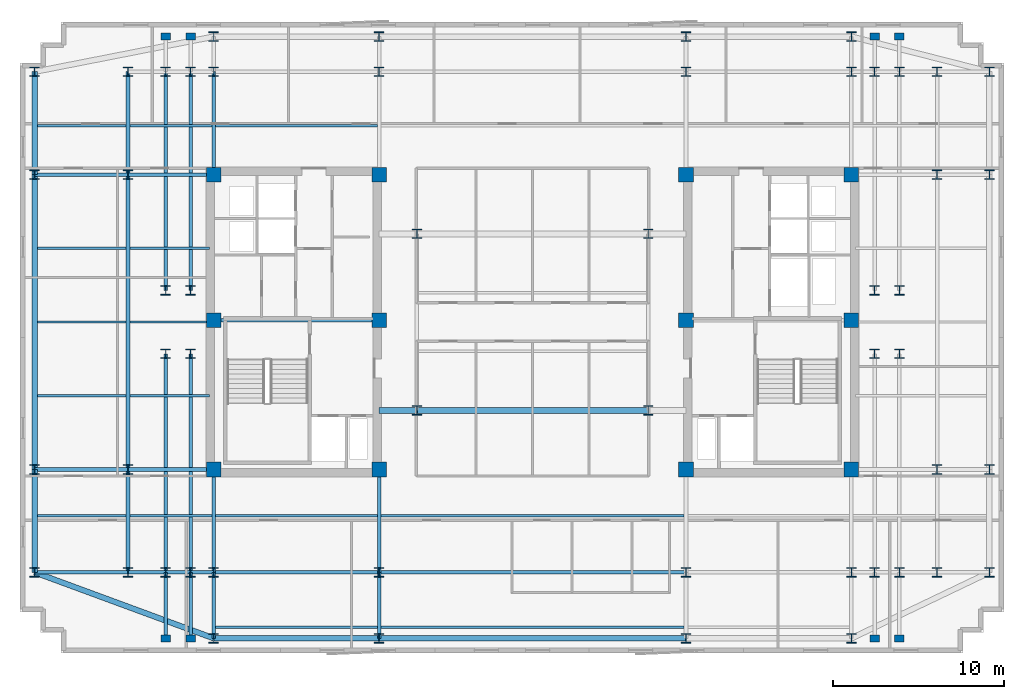
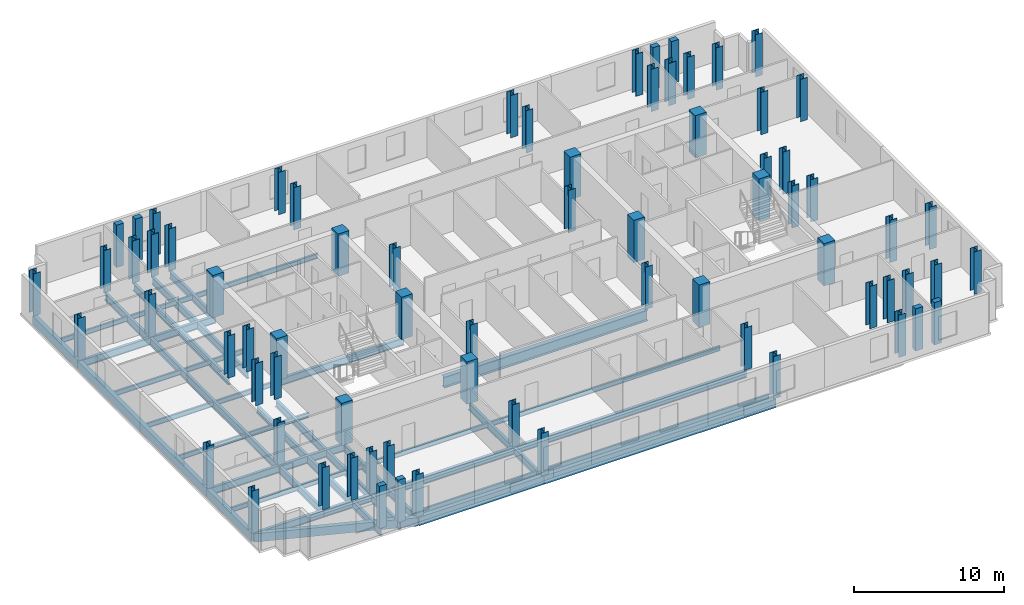
# One storey, part 1 of 9: 72 columns, 46 beams.
"""IFC4 building model written with IfcOpenShell, lengths in metres."""

from ifc_helpers import new_model, si_unit, direction, frame, origin, origin_2d, place, context, subcontext, project, spatial, rectangle, i_section, extrude, material, material_profile, profile_set, type_object, element, save


model = new_model("IFC4")

# Units and contexts
model_context = context("Model", 3, precision=1e-05, world=origin(), true_north=direction((0.0, 1.0)))
body_context = subcontext(model_context, "Body", "Model", "MODEL_VIEW")
ifc_project = project(units=[si_unit("LENGTHUNIT", "METRE"), si_unit("AREAUNIT", "SQUARE_METRE"), si_unit("VOLUMEUNIT", "CUBIC_METRE"), si_unit("PLANEANGLEUNIT", "RADIAN"), si_unit("MASSUNIT", "GRAM", prefix="KILO")], contexts=[model_context])

# Site, building, storey
site_placement = place(None, origin())
site = spatial("IfcSite", under=ifc_project, at=site_placement, CompositionType="ELEMENT")
building_placement = place(site_placement, origin())
building = spatial("IfcBuilding", under=site, at=building_placement, Name="Velakula Bourse", CompositionType="ELEMENT")
storey_placement = place(building_placement, frame((0.0, 0.0, 236.10009765625)))
storey = spatial("IfcBuildingStorey", under=building, at=storey_placement, Name="L64", CompositionType="ELEMENT", Elevation=236.10009765625)

# Columns
ifc_material_1 = material(Name="Concrete M50 (fck 50 MPa)", Category="concrete")
ifc_material_profile_1 = material_profile(ifc_material_1, rectangle(XDim=0.85009765625, YDim=0.85009765625, at=origin_2d()), Name="Concrete M50 (fck 50 MPa)")
ifc_profile_set_1 = profile_set([ifc_material_profile_1], Name="Concrete M50 (fck 50 MPa)")
column_type_1 = type_object("IfcColumnType", Name="COL-RC-850", PredefinedType="COLUMN", material=ifc_profile_set_1)
for number, where, z_axis, x_axis, name in (
    (1, (-8.949951171875, -8.60009765625, 0.0), (0.0, 0.0, 1.0), (1.0, 0.0, 0.0), "L64 Core Boundary Column 01"),
    (2, (-8.949951171875, 0.10009765625, 0.0), (0.0, 0.0, 1.0), (1.0, 0.0, 0.0), "L64 Core Boundary Column 02"),
    (3, (-8.949951171875, 8.60009765625, 0.0), (0.0, 0.0, 1.0), (1.0, 0.0, 0.0), "L64 Core Boundary Column 03"),
    (4, (-18.60009765625, -8.60009765625, 0.0), (0.0, 0.0, 1.0), (1.0, 0.0, 0.0), "L64 Core Boundary Column 04"),
    (5, (-18.60009765625, 0.10009765625, 0.0), (0.0, 0.0, 1.0), (1.0, 0.0, 0.0), "L64 Core Boundary Column 05"),
    (6, (-18.60009765625, 8.60009765625, 0.0), (0.0, 0.0, 1.0), (1.0, 0.0, 0.0), "L64 Core Boundary Column 06"),
    (7, (8.949951171875, -8.60009765625, 0.0), (0.0, 0.0, 1.0), (1.0, 0.0, 0.0), "L64 Core Boundary Column 07"),
    (8, (8.949951171875, 0.10009765625, 0.0), (0.0, 0.0, 1.0), (1.0, 0.0, 0.0), "L64 Core Boundary Column 08"),
    (9, (8.949951171875, 8.60009765625, 0.0), (0.0, 0.0, 1.0), (1.0, 0.0, 0.0), "L64 Core Boundary Column 09"),
    (10, (18.60009765625, -8.60009765625, 0.0), (0.0, 0.0, 1.0), (1.0, 0.0, 0.0), "L64 Core Boundary Column 10"),
    (11, (18.60009765625, 0.10009765625, 0.0), (0.0, 0.0, 1.0), (1.0, 0.0, 0.0), "L64 Core Boundary Column 11"),
    (12, (18.60009765625, 8.60009765625, 0.0), (0.0, 0.0, 1.0), (1.0, 0.0, 0.0), "L64 Core Boundary Column 12"),
):
    element("IfcColumn", number, at=place(storey_placement, frame(where, z_axis=z_axis, x_axis=x_axis)), inside=storey, type_object=column_type_1, Name=name, PredefinedType="COLUMN", context=body_context, shape_type="SweptSolid", body=[
        extrude(rectangle(XDim=0.85009765625, YDim=0.85009765625, at=origin_2d()), origin(), (0.0, 0.0, 1.0), 3.449951171875),
    ])
ifc_material_2 = material(Name="Steel IS 2062 Grade 350 (E350)", Category="steel")
ifc_material_profile_2 = material_profile(ifc_material_2, i_section(OverallWidth=0.550048828125, OverallDepth=0.550048828125, WebThickness=0.02392578125, FlangeThickness=0.035888671875, at=origin_2d()), Name="Steel IS 2062 Grade 350 (E350)")
ifc_profile_set_2 = profile_set([ifc_material_profile_2], Name="Steel IS 2062 Grade 350 (E350)")
column_type_2 = type_object("IfcColumnType", Name="COL-STL-550", PredefinedType="COLUMN", material=ifc_profile_set_2)
for number, where, z_axis, x_axis, name in (
    (13, (-6.75, -5.14990234375, 0.0), (0.0, 0.0, 1.0), (1.0, 0.0, 0.0), "L64 Central Spine Column 01"),
    (14, (-6.75, 5.14990234375, 0.0), (0.0, 0.0, 1.0), (1.0, 0.0, 0.0), "L64 Central Spine Column 02"),
    (15, (6.75, -5.14990234375, 0.0), (0.0, 0.0, 1.0), (1.0, 0.0, 0.0), "L64 Central Spine Column 03"),
    (16, (6.75, 5.14990234375, 0.0), (0.0, 0.0, 1.0), (1.0, 0.0, 0.0), "L64 Central Spine Column 04"),
    (17, (-21.39990234375, -14.60009765625, 0.0), (0.0, 0.0, 1.0), (1.0, 0.0, 0.0), "L64 Tower Fulcrum Column 01"),
    (18, (-21.39990234375, 14.60009765625, 0.0), (0.0, 0.0, 1.0), (1.0, 0.0, 0.0), "L64 Tower Fulcrum Column 02"),
    (19, (-19.949951171875, -14.60009765625, 0.0), (0.0, 0.0, 1.0), (1.0, 0.0, 0.0), "L64 Tower Fulcrum Column 03"),
    (20, (-19.949951171875, 14.60009765625, 0.0), (0.0, 0.0, 1.0), (1.0, 0.0, 0.0), "L64 Tower Fulcrum Column 04"),
    (21, (-18.60009765625, -14.60009765625, 0.0), (0.0, 0.0, 1.0), (1.0, 0.0, 0.0), "L64 Tower Fulcrum Column 05"),
    (22, (-18.60009765625, 14.60009765625, 0.0), (0.0, 0.0, 1.0), (1.0, 0.0, 0.0), "L64 Tower Fulcrum Column 06"),
    (23, (-8.949951171875, -14.60009765625, 0.0), (0.0, 0.0, 1.0), (1.0, 0.0, 0.0), "L64 Tower Fulcrum Column 07"),
    (24, (-8.949951171875, 14.60009765625, 0.0), (0.0, 0.0, 1.0), (1.0, 0.0, 0.0), "L64 Tower Fulcrum Column 08"),
    (25, (8.949951171875, -14.60009765625, 0.0), (0.0, 0.0, 1.0), (1.0, 0.0, 0.0), "L64 Tower Fulcrum Column 09"),
    (26, (8.949951171875, 14.60009765625, 0.0), (0.0, 0.0, 1.0), (1.0, 0.0, 0.0), "L64 Tower Fulcrum Column 10"),
    (27, (18.60009765625, -14.60009765625, 0.0), (0.0, 0.0, 1.0), (1.0, 0.0, 0.0), "L64 Tower Fulcrum Column 11"),
    (28, (18.60009765625, 14.60009765625, 0.0), (0.0, 0.0, 1.0), (1.0, 0.0, 0.0), "L64 Tower Fulcrum Column 12"),
    (29, (19.949951171875, -14.60009765625, 0.0), (0.0, 0.0, 1.0), (1.0, 0.0, 0.0), "L64 Tower Fulcrum Column 13"),
    (30, (19.949951171875, 14.60009765625, 0.0), (0.0, 0.0, 1.0), (1.0, 0.0, 0.0), "L64 Tower Fulcrum Column 14"),
    (31, (21.39990234375, -14.60009765625, 0.0), (0.0, 0.0, 1.0), (1.0, 0.0, 0.0), "L64 Tower Fulcrum Column 15"),
    (32, (21.39990234375, 14.60009765625, 0.0), (0.0, 0.0, 1.0), (1.0, 0.0, 0.0), "L64 Tower Fulcrum Column 16"),
    (33, (-21.39990234375, -1.85009765625, 0.0), (0.0, 0.0, 1.0), (1.0, 0.0, 0.0), "L64 Tower Fulcrum Column 17"),
    (34, (-21.39990234375, 1.85009765625, 0.0), (0.0, 0.0, 1.0), (1.0, 0.0, 0.0), "L64 Tower Fulcrum Column 18"),
    (35, (-19.949951171875, -1.85009765625, 0.0), (0.0, 0.0, 1.0), (1.0, 0.0, 0.0), "L64 Tower Fulcrum Column 19"),
    (36, (-19.949951171875, 1.85009765625, 0.0), (0.0, 0.0, 1.0), (1.0, 0.0, 0.0), "L64 Tower Fulcrum Column 20"),
    (37, (19.949951171875, -1.85009765625, 0.0), (0.0, 0.0, 1.0), (1.0, 0.0, 0.0), "L64 Tower Fulcrum Column 21"),
    (38, (19.949951171875, 1.85009765625, 0.0), (0.0, 0.0, 1.0), (1.0, 0.0, 0.0), "L64 Tower Fulcrum Column 22"),
    (39, (21.39990234375, -1.85009765625, 0.0), (0.0, 0.0, 1.0), (1.0, 0.0, 0.0), "L64 Tower Fulcrum Column 23"),
    (40, (21.39990234375, 1.85009765625, 0.0), (0.0, 0.0, 1.0), (1.0, 0.0, 0.0), "L64 Tower Fulcrum Column 24"),
    (41, (-23.60009765625, -14.60009765625, 0.0), (0.0, 0.0, 1.0), (1.0, 0.0, 0.0), "L64 Mid-Wing Plumb Column 01"),
    (42, (-23.60009765625, -8.60009765625, 0.0), (0.0, 0.0, 1.0), (1.0, 0.0, 0.0), "L64 Mid-Wing Plumb Column 02"),
    (43, (-23.60009765625, 8.60009765625, 0.0), (0.0, 0.0, 1.0), (1.0, 0.0, 0.0), "L64 Mid-Wing Plumb Column 03"),
    (44, (-23.60009765625, 14.60009765625, 0.0), (0.0, 0.0, 1.0), (1.0, 0.0, 0.0), "L64 Mid-Wing Plumb Column 04"),
    (45, (23.60009765625, -14.60009765625, 0.0), (0.0, 0.0, 1.0), (1.0, 0.0, 0.0), "L64 Mid-Wing Plumb Column 05"),
    (46, (23.60009765625, -8.60009765625, 0.0), (0.0, 0.0, 1.0), (1.0, 0.0, 0.0), "L64 Mid-Wing Plumb Column 06"),
    (47, (23.60009765625, 8.60009765625, 0.0), (0.0, 0.0, 1.0), (1.0, 0.0, 0.0), "L64 Mid-Wing Plumb Column 07"),
    (48, (23.60009765625, 14.60009765625, 0.0), (0.0, 0.0, 1.0), (1.0, 0.0, 0.0), "L64 Mid-Wing Plumb Column 08"),
    (49, (-18.60009765625, -18.449951171875, 0.0), (0.0, 0.0, 1.0), (1.0, 0.0, 0.0), "L64 Block B5 Perimeter Column S1"),
    (50, (-8.949951171875, -18.449951171875, 0.0), (0.0, 0.0, 1.0), (1.0, 0.0, 0.0), "L64 Block B5 Perimeter Column S2"),
    (51, (8.949951171875, -18.449951171875, 0.0), (0.0, 0.0, 1.0), (1.0, 0.0, 0.0), "L64 Block B5 Perimeter Column S3"),
    (52, (18.60009765625, -18.449951171875, 0.0), (0.0, 0.0, 1.0), (1.0, 0.0, 0.0), "L64 Block B5 Perimeter Column S4"),
    (53, (-18.60009765625, 16.64990234375, 0.0), (0.0, 0.0, 1.0), (1.0, 0.0, 0.0), "L64 Block B5 Perimeter Column N1"),
    (54, (-8.949951171875, 16.64990234375, 0.0), (0.0, 0.0, 1.0), (1.0, 0.0, 0.0), "L64 Block B5 Perimeter Column N2"),
    (55, (8.949951171875, 16.64990234375, 0.0), (0.0, 0.0, 1.0), (1.0, 0.0, 0.0), "L64 Block B5 Perimeter Column N3"),
    (56, (18.60009765625, 16.64990234375, 0.0), (0.0, 0.0, 1.0), (1.0, 0.0, 0.0), "L64 Block B5 Perimeter Column N4"),
    (57, (-29.050048828125, -14.60009765625, 0.0), (0.0, 0.0, 1.0), (1.0, 0.0, 0.0), "L64 Block B5 Perimeter Column W1"),
    (58, (-29.050048828125, -8.60009765625, 0.0), (0.0, 0.0, 1.0), (1.0, 0.0, 0.0), "L64 Block B5 Perimeter Column W2"),
    (59, (-29.050048828125, 8.60009765625, 0.0), (0.0, 0.0, 1.0), (1.0, 0.0, 0.0), "L64 Block B5 Perimeter Column W3"),
    (60, (-29.050048828125, 14.60009765625, 0.0), (0.0, 0.0, 1.0), (1.0, 0.0, 0.0), "L64 Block B5 Perimeter Column W4"),
    (61, (26.64990234375, -14.60009765625, 0.0), (0.0, 0.0, 1.0), (1.0, 0.0, 0.0), "L64 Block B5 Perimeter Column E1"),
    (62, (26.64990234375, -8.60009765625, 0.0), (0.0, 0.0, 1.0), (1.0, 0.0, 0.0), "L64 Block B5 Perimeter Column E2"),
    (63, (26.64990234375, 8.60009765625, 0.0), (0.0, 0.0, 1.0), (1.0, 0.0, 0.0), "L64 Block B5 Perimeter Column E3"),
    (64, (26.64990234375, 14.60009765625, 0.0), (0.0, 0.0, 1.0), (1.0, 0.0, 0.0), "L64 Block B5 Perimeter Column E4"),
):
    element("IfcColumn", number, at=place(storey_placement, frame(where, z_axis=z_axis, x_axis=x_axis)), inside=storey, type_object=column_type_2, Name=name, PredefinedType="COLUMN", context=body_context, shape_type="SweptSolid", body=[
        extrude(i_section(OverallWidth=0.550048828125, OverallDepth=0.550048828125, WebThickness=0.02392578125, FlangeThickness=0.035888671875, at=origin_2d()), origin(), (0.0, 0.0, 1.0), 3.449951171875),
    ])
ifc_material_3 = material(Name="Precast concrete M45 (fck 45 MPa)", Category="concrete")
ifc_material_profile_3 = material_profile(ifc_material_3, rectangle(XDim=0.550048828125, YDim=0.39990234375, at=origin_2d()), Name="Precast concrete M45 (fck 45 MPa)")
ifc_profile_set_3 = profile_set([ifc_material_profile_3], Name="Precast concrete M45 (fck 45 MPa)")
column_type_3 = type_object("IfcColumnType", Name="PIL-BRICK-550", PredefinedType="PILASTER", material=ifc_profile_set_3)
for number, where, z_axis, x_axis, name in (
    (65, (-21.39990234375, -18.449951171875, 0.0), (0.0, 0.0, 1.0), (1.0, 0.0, 0.0), "L64 Brick Pier Pilaster 01"),
    (66, (-19.949951171875, -18.449951171875, 0.0), (0.0, 0.0, 1.0), (1.0, 0.0, 0.0), "L64 Brick Pier Pilaster 02"),
    (67, (19.949951171875, -18.449951171875, 0.0), (0.0, 0.0, 1.0), (1.0, 0.0, 0.0), "L64 Brick Pier Pilaster 03"),
    (68, (21.39990234375, -18.449951171875, 0.0), (0.0, 0.0, 1.0), (1.0, 0.0, 0.0), "L64 Brick Pier Pilaster 04"),
    (69, (-21.39990234375, 16.64990234375, 0.0), (0.0, 0.0, 1.0), (1.0, 0.0, 0.0), "L64 Brick Pier Pilaster 05"),
    (70, (-19.949951171875, 16.64990234375, 0.0), (0.0, 0.0, 1.0), (1.0, 0.0, 0.0), "L64 Brick Pier Pilaster 06"),
    (71, (19.949951171875, 16.64990234375, 0.0), (0.0, 0.0, 1.0), (1.0, 0.0, 0.0), "L64 Brick Pier Pilaster 07"),
    (72, (21.39990234375, 16.64990234375, 0.0), (0.0, 0.0, 1.0), (1.0, 0.0, 0.0), "L64 Brick Pier Pilaster 08"),
):
    element("IfcColumn", number, at=place(storey_placement, frame(where, z_axis=z_axis, x_axis=x_axis)), inside=storey, type_object=column_type_3, Name=name, PredefinedType="PILASTER", context=body_context, shape_type="SweptSolid", body=[
        extrude(rectangle(XDim=0.550048828125, YDim=0.39990234375, at=origin_2d()), origin(), (0.0, 0.0, 1.0), 3.449951171875),
    ])

# Beams
ifc_material_profile_4 = material_profile(ifc_material_2, i_section(OverallWidth=0.2099609375, OverallDepth=0.60009765625, WebThickness=0.011962890625, FlangeThickness=0.020751953125, at=origin_2d()), Name="Steel IS 2062 Grade 350 (E350)")
ifc_profile_set_4 = profile_set([ifc_material_profile_4], Name="Steel IS 2062 Grade 350 (E350)")
beam_type_1 = type_object("IfcBeamType", Name="BM-GRD-600L", PredefinedType="BEAM", material=ifc_profile_set_4)
beam_1_placement = place(storey_placement, frame((-18.60009765625, 0.10009765625, -0.47998046875), z_axis=(1.0, 0.0, 0.0), x_axis=(0.0, 1.0, 0.0)))
element("IfcBeam", 73, at=beam_1_placement, inside=storey, type_object=beam_type_1, Name="L64 Primary Backbone Girder CRW-M", PredefinedType="BEAM", context=body_context, shape_type="SweptSolid", body=[
    extrude(i_section(OverallWidth=0.2099609375, OverallDepth=0.60009765625, WebThickness=0.011962890625, FlangeThickness=0.020751953125, at=origin_2d()), origin(), (0.0, 0.0, 1.0), 9.650146484375),
])
for number, where, z_axis, x_axis, name in (
    (74, (-18.60009765625, -14.60009765625, -0.47998046875), (0.0, 1.0, 0.0), (-1.0, 0.0, 0.0), "L64 Fulcrum Grid Girder FLC-WS"),
    (75, (-18.60009765625, 8.60009765625, -0.47998046875), (0.0, 1.0, 0.0), (-1.0, 0.0, 0.0), "L64 Fulcrum Grid Girder FLC-WN"),
    (76, (-8.949951171875, -14.60009765625, -0.47998046875), (0.0, 1.0, 0.0), (-1.0, 0.0, 0.0), "L64 Fulcrum Grid Girder FLC-WCS"),
):
    element("IfcBeam", number, at=place(storey_placement, frame(where, z_axis=z_axis, x_axis=x_axis)), inside=storey, type_object=beam_type_1, Name=name, PredefinedType="BEAM", context=body_context, shape_type="SweptSolid", body=[
        extrude(i_section(OverallWidth=0.2099609375, OverallDepth=0.60009765625, WebThickness=0.011962890625, FlangeThickness=0.020751953125, at=origin_2d()), origin(), (0.0, 0.0, 1.0), 6.0),
    ])
beam_2_placement = place(storey_placement, frame((-18.60009765625, -14.60009765625, -0.47998046875), z_axis=(1.0, 0.0, 0.0), x_axis=(0.0, 1.0, 0.0)))
element("IfcBeam", 77, at=beam_2_placement, inside=storey, type_object=beam_type_1, Name="L64 Fulcrum Grid Girder FLC-S1", PredefinedType="BEAM", context=body_context, shape_type="SweptSolid", body=[
    extrude(i_section(OverallWidth=0.2099609375, OverallDepth=0.60009765625, WebThickness=0.011962890625, FlangeThickness=0.020751953125, at=origin_2d()), origin(), (0.0, 0.0, 1.0), 9.650146484375),
])
beam_3_placement = place(storey_placement, frame((-8.949951171875, -14.60009765625, -0.47998046875), z_axis=(1.0, 0.0, 0.0), x_axis=(0.0, 1.0, 0.0)))
element("IfcBeam", 78, at=beam_3_placement, inside=storey, type_object=beam_type_1, Name="L64 Fulcrum Grid Girder FLC-S2", PredefinedType="BEAM", context=body_context, shape_type="SweptSolid", body=[
    extrude(i_section(OverallWidth=0.2099609375, OverallDepth=0.60009765625, WebThickness=0.011962890625, FlangeThickness=0.020751953125, at=origin_2d()), origin(), (0.0, 0.0, 1.0), 17.89990234375),
])
for number, where, z_axis, x_axis, name in (
    (79, (-21.39990234375, -14.60009765625, -0.47998046875), (0.0, 1.0, 0.0), (-1.0, 0.0, 0.0), "L64 Fulcrum Grid Girder FLC-PSW1"),
    (80, (-21.39990234375, 1.85009765625, -0.47998046875), (0.0, 1.0, 0.0), (-1.0, 0.0, 0.0), "L64 Fulcrum Grid Girder FLC-PNW1"),
    (81, (-19.949951171875, -14.60009765625, -0.47998046875), (0.0, 1.0, 0.0), (-1.0, 0.0, 0.0), "L64 Fulcrum Grid Girder FLC-PSW2"),
    (82, (-19.949951171875, 1.85009765625, -0.47998046875), (0.0, 1.0, 0.0), (-1.0, 0.0, 0.0), "L64 Fulcrum Grid Girder FLC-PNW2"),
):
    element("IfcBeam", number, at=place(storey_placement, frame(where, z_axis=z_axis, x_axis=x_axis)), inside=storey, type_object=beam_type_1, Name=name, PredefinedType="BEAM", context=body_context, shape_type="SweptSolid", body=[
        extrude(i_section(OverallWidth=0.2099609375, OverallDepth=0.60009765625, WebThickness=0.011962890625, FlangeThickness=0.020751953125, at=origin_2d()), origin(), (0.0, 0.0, 1.0), 12.75),
    ])
for number, where, z_axis, x_axis, name in (
    (83, (-23.60009765625, -14.60009765625, -0.47998046875), (1.0, 0.0, 0.0), (0.0, 1.0, 0.0), "L64 Fulcrum Grid Girder MWG-WS1"),
    (84, (-23.60009765625, -8.60009765625, -0.47998046875), (1.0, 0.0, 0.0), (0.0, 1.0, 0.0), "L64 Fulcrum Grid Girder MWG-WS2"),
    (85, (-23.60009765625, 8.60009765625, -0.47998046875), (1.0, 0.0, 0.0), (0.0, 1.0, 0.0), "L64 Fulcrum Grid Girder MWG-WN1"),
):
    element("IfcBeam", number, at=place(storey_placement, frame(where, z_axis=z_axis, x_axis=x_axis)), inside=storey, type_object=beam_type_1, Name=name, PredefinedType="BEAM", context=body_context, shape_type="SweptSolid", body=[
        extrude(i_section(OverallWidth=0.2099609375, OverallDepth=0.60009765625, WebThickness=0.011962890625, FlangeThickness=0.020751953125, at=origin_2d()), origin(), (0.0, 0.0, 1.0), 5.0),
    ])
beam_4_placement = place(storey_placement, frame((-23.60009765625, -14.60009765625, -0.47998046875), z_axis=(0.0, 1.0, 0.0), x_axis=(-1.0, 0.0, 0.0)))
element("IfcBeam", 86, at=beam_4_placement, inside=storey, type_object=beam_type_1, Name="L64 Fulcrum Grid Girder MWG-WNS1", PredefinedType="BEAM", context=body_context, shape_type="SweptSolid", body=[
    extrude(i_section(OverallWidth=0.2099609375, OverallDepth=0.60009765625, WebThickness=0.011962890625, FlangeThickness=0.020751953125, at=origin_2d()), origin(), (0.0, 0.0, 1.0), 6.0),
])
beam_5_placement = place(storey_placement, frame((-23.60009765625, -8.60009765625, -0.47998046875), z_axis=(0.0, 1.0, 0.0), x_axis=(-1.0, 0.0, 0.0)))
element("IfcBeam", 87, at=beam_5_placement, inside=storey, type_object=beam_type_1, Name="L64 Fulcrum Grid Girder MWG-WNS2", PredefinedType="BEAM", context=body_context, shape_type="SweptSolid", body=[
    extrude(i_section(OverallWidth=0.2099609375, OverallDepth=0.60009765625, WebThickness=0.011962890625, FlangeThickness=0.020751953125, at=origin_2d()), origin(), (0.0, 0.0, 1.0), 17.2001953125),
])
beam_6_placement = place(storey_placement, frame((-23.60009765625, 8.60009765625, -0.47998046875), z_axis=(0.0, 1.0, 0.0), x_axis=(-1.0, 0.0, 0.0)))
element("IfcBeam", 88, at=beam_6_placement, inside=storey, type_object=beam_type_1, Name="L64 Fulcrum Grid Girder MWG-WNS3", PredefinedType="BEAM", context=body_context, shape_type="SweptSolid", body=[
    extrude(i_section(OverallWidth=0.2099609375, OverallDepth=0.60009765625, WebThickness=0.011962890625, FlangeThickness=0.020751953125, at=origin_2d()), origin(), (0.0, 0.0, 1.0), 6.0),
])
for number, where, z_axis, x_axis, name in (
    (89, (-18.60009765625, -14.60009765625, -0.47998046875), (0.0, -1.0, 0.0), (1.0, 0.0, 0.0), "L64 Perimeter Tie Girder S1"),
    (90, (-8.949951171875, -14.60009765625, -0.47998046875), (0.0, -1.0, 0.0), (1.0, 0.0, 0.0), "L64 Perimeter Tie Girder S2"),
):
    element("IfcBeam", number, at=place(storey_placement, frame(where, z_axis=z_axis, x_axis=x_axis)), inside=storey, type_object=beam_type_1, Name=name, PredefinedType="BEAM", context=body_context, shape_type="SweptSolid", body=[
        extrude(i_section(OverallWidth=0.2099609375, OverallDepth=0.60009765625, WebThickness=0.011962890625, FlangeThickness=0.020751953125, at=origin_2d()), origin(), (0.0, 0.0, 1.0), 3.849853515625),
    ])
for number, where, z_axis, x_axis, name in (
    (91, (-23.60009765625, -14.60009765625, -0.47998046875), (-1.0, 0.0, 0.0), (0.0, -1.0, 0.0), "L64 Perimeter Tie Girder W1"),
    (92, (-23.60009765625, -8.60009765625, -0.47998046875), (-1.0, 0.0, 0.0), (0.0, -1.0, 0.0), "L64 Perimeter Tie Girder W2"),
    (93, (-23.60009765625, 8.60009765625, -0.47998046875), (-1.0, 0.0, 0.0), (0.0, -1.0, 0.0), "L64 Perimeter Tie Girder W3"),
):
    element("IfcBeam", number, at=place(storey_placement, frame(where, z_axis=z_axis, x_axis=x_axis)), inside=storey, type_object=beam_type_1, Name=name, PredefinedType="BEAM", context=body_context, shape_type="SweptSolid", body=[
        extrude(i_section(OverallWidth=0.2099609375, OverallDepth=0.60009765625, WebThickness=0.011962890625, FlangeThickness=0.020751953125, at=origin_2d()), origin(), (0.0, 0.0, 1.0), 5.449951171875),
    ])
for number, where, z_axis, x_axis, name in (
    (94, (-21.39990234375, -14.60009765625, -0.47998046875), (0.0, -1.0, 0.0), (1.0, 0.0, 0.0), "L64 Perimeter Tie Girder P01"),
    (95, (-19.949951171875, -14.60009765625, -0.47998046875), (0.0, -1.0, 0.0), (1.0, 0.0, 0.0), "L64 Perimeter Tie Girder P02"),
):
    element("IfcBeam", number, at=place(storey_placement, frame(where, z_axis=z_axis, x_axis=x_axis)), inside=storey, type_object=beam_type_1, Name=name, PredefinedType="BEAM", context=body_context, shape_type="SweptSolid", body=[
        extrude(i_section(OverallWidth=0.2099609375, OverallDepth=0.60009765625, WebThickness=0.011962890625, FlangeThickness=0.020751953125, at=origin_2d()), origin(), (0.0, 0.0, 1.0), 3.849853515625),
    ])
ifc_material_profile_5 = material_profile(ifc_material_2, i_section(OverallWidth=0.35009765625, OverallDepth=0.89990234375, WebThickness=0.02001953125, FlangeThickness=0.031982421875, at=origin_2d()), Name="Steel IS 2062 Grade 350 (E350)")
ifc_profile_set_5 = profile_set([ifc_material_profile_5], Name="Steel IS 2062 Grade 350 (E350)")
beam_type_2 = type_object("IfcBeamType", Name="BM-LNK-900", PredefinedType="BEAM", material=ifc_profile_set_5)
beam_7_placement = place(storey_placement, frame((-8.949951171875, -5.14990234375, -0.630126953125), z_axis=(1.0, 0.0, 0.0), x_axis=(0.0, 1.0, 0.0)))
element("IfcBeam", 96, at=beam_7_placement, inside=storey, type_object=beam_type_2, Name="L64 Primary Backbone Girder LNK-S1", PredefinedType="BEAM", context=body_context, shape_type="SweptSolid", body=[
    extrude(i_section(OverallWidth=0.35009765625, OverallDepth=0.89990234375, WebThickness=0.02001953125, FlangeThickness=0.031982421875, at=origin_2d()), origin(), (0.0, 0.0, 1.0), 2.199951171875),
])
beam_8_placement = place(storey_placement, frame((-6.75, -5.14990234375, -0.630126953125), z_axis=(1.0, 0.0, 0.0), x_axis=(0.0, 1.0, 0.0)))
element("IfcBeam", 97, at=beam_8_placement, inside=storey, type_object=beam_type_2, Name="L64 Primary Backbone Girder LNK-S2", PredefinedType="BEAM", context=body_context, shape_type="SweptSolid", body=[
    extrude(i_section(OverallWidth=0.35009765625, OverallDepth=0.89990234375, WebThickness=0.02001953125, FlangeThickness=0.031982421875, at=origin_2d()), origin(), (0.0, 0.0, 1.0), 13.5),
])
ifc_material_profile_6 = material_profile(ifc_material_2, i_section(OverallWidth=0.139892578125, OverallDepth=0.39990234375, WebThickness=0.0087890625, FlangeThickness=0.01611328125, at=origin_2d()), Name="Steel IS 2062 Grade 350 (E350)")
ifc_profile_set_6 = profile_set([ifc_material_profile_6], Name="Steel IS 2062 Grade 350 (E350)")
beam_type_3 = type_object("IfcBeamType", Name="JST-TWR-400", PredefinedType="JOIST", material=ifc_profile_set_6)
beam_9_placement = place(storey_placement, frame((-18.4951171875, -17.800048828125, -0.380126953125), z_axis=(1.0, 0.0, 0.0), x_axis=(0.0, 1.0, 0.0)))
element("IfcBeam", 98, at=beam_9_placement, inside=storey, type_object=beam_type_3, Name="L64 Trading Floor Composite Joist 01", PredefinedType="JOIST", context=body_context, shape_type="SweptSolid", body=[
    extrude(i_section(OverallWidth=0.139892578125, OverallDepth=0.39990234375, WebThickness=0.0087890625, FlangeThickness=0.01611328125, at=origin_2d()), origin(), (0.0, 0.0, 1.0), 9.440185546875),
])
beam_10_placement = place(storey_placement, frame((-8.844970703125, -17.800048828125, -0.380126953125), z_axis=(1.0, 0.0, 0.0), x_axis=(0.0, 1.0, 0.0)))
element("IfcBeam", 99, at=beam_10_placement, inside=storey, type_object=beam_type_3, Name="L64 Trading Floor Composite Joist 02", PredefinedType="JOIST", context=body_context, shape_type="SweptSolid", body=[
    extrude(i_section(OverallWidth=0.139892578125, OverallDepth=0.39990234375, WebThickness=0.0087890625, FlangeThickness=0.01611328125, at=origin_2d()), origin(), (0.0, 0.0, 1.0), 17.68994140625),
])
beam_11_placement = place(storey_placement, frame((-28.889892578125, -11.300048828125, -0.380126953125), z_axis=(1.0, 0.0, 0.0), x_axis=(0.0, 1.0, 0.0)))
element("IfcBeam", 100, at=beam_11_placement, inside=storey, type_object=beam_type_3, Name="L64 Trading Floor Composite Joist 04", PredefinedType="JOIST", context=body_context, shape_type="SweptSolid", body=[
    extrude(i_section(OverallWidth=0.139892578125, OverallDepth=0.39990234375, WebThickness=0.0087890625, FlangeThickness=0.01611328125, at=origin_2d()), origin(), (0.0, 0.0, 1.0), 5.184814453125),
])
beam_12_placement = place(storey_placement, frame((-23.4951171875, -11.300048828125, -0.380126953125), z_axis=(1.0, 0.0, 0.0), x_axis=(0.0, 1.0, 0.0)))
element("IfcBeam", 101, at=beam_12_placement, inside=storey, type_object=beam_type_3, Name="L64 Trading Floor Composite Joist 05", PredefinedType="JOIST", context=body_context, shape_type="SweptSolid", body=[
    extrude(i_section(OverallWidth=0.139892578125, OverallDepth=0.39990234375, WebThickness=0.0087890625, FlangeThickness=0.01611328125, at=origin_2d()), origin(), (0.0, 0.0, 1.0), 4.7900390625),
])
beam_13_placement = place(storey_placement, frame((-18.4951171875, -11.300048828125, -0.380126953125), z_axis=(1.0, 0.0, 0.0), x_axis=(0.0, 1.0, 0.0)))
element("IfcBeam", 102, at=beam_13_placement, inside=storey, type_object=beam_type_3, Name="L64 Trading Floor Composite Joist 06", PredefinedType="JOIST", context=body_context, shape_type="SweptSolid", body=[
    extrude(i_section(OverallWidth=0.139892578125, OverallDepth=0.39990234375, WebThickness=0.0087890625, FlangeThickness=0.01611328125, at=origin_2d()), origin(), (0.0, 0.0, 1.0), 9.440185546875),
])
beam_14_placement = place(storey_placement, frame((-8.844970703125, -11.300048828125, -0.380126953125), z_axis=(1.0, 0.0, 0.0), x_axis=(0.0, 1.0, 0.0)))
element("IfcBeam", 103, at=beam_14_placement, inside=storey, type_object=beam_type_3, Name="L64 Trading Floor Composite Joist 07", PredefinedType="JOIST", context=body_context, shape_type="SweptSolid", body=[
    extrude(i_section(OverallWidth=0.139892578125, OverallDepth=0.39990234375, WebThickness=0.0087890625, FlangeThickness=0.01611328125, at=origin_2d()), origin(), (0.0, 0.0, 1.0), 17.68994140625),
])
beam_15_placement = place(storey_placement, frame((-28.889892578125, 11.449951171875, -0.380126953125), z_axis=(1.0, 0.0, 0.0), x_axis=(0.0, 1.0, 0.0)))
element("IfcBeam", 104, at=beam_15_placement, inside=storey, type_object=beam_type_3, Name="L64 Trading Floor Composite Joist 11", PredefinedType="JOIST", context=body_context, shape_type="SweptSolid", body=[
    extrude(i_section(OverallWidth=0.139892578125, OverallDepth=0.39990234375, WebThickness=0.0087890625, FlangeThickness=0.01611328125, at=origin_2d()), origin(), (0.0, 0.0, 1.0), 5.184814453125),
])
beam_16_placement = place(storey_placement, frame((-23.4951171875, 11.449951171875, -0.380126953125), z_axis=(1.0, 0.0, 0.0), x_axis=(0.0, 1.0, 0.0)))
element("IfcBeam", 105, at=beam_16_placement, inside=storey, type_object=beam_type_3, Name="L64 Trading Floor Composite Joist 12", PredefinedType="JOIST", context=body_context, shape_type="SweptSolid", body=[
    extrude(i_section(OverallWidth=0.139892578125, OverallDepth=0.39990234375, WebThickness=0.0087890625, FlangeThickness=0.01611328125, at=origin_2d()), origin(), (0.0, 0.0, 1.0), 4.7900390625),
])
beam_17_placement = place(storey_placement, frame((-18.4951171875, 11.449951171875, -0.380126953125), z_axis=(1.0, 0.0, 0.0), x_axis=(0.0, 1.0, 0.0)))
element("IfcBeam", 106, at=beam_17_placement, inside=storey, type_object=beam_type_3, Name="L64 Trading Floor Composite Joist 13", PredefinedType="JOIST", context=body_context, shape_type="SweptSolid", body=[
    extrude(i_section(OverallWidth=0.139892578125, OverallDepth=0.39990234375, WebThickness=0.0087890625, FlangeThickness=0.01611328125, at=origin_2d()), origin(), (0.0, 0.0, 1.0), 9.440185546875),
])
beam_18_placement = place(storey_placement, frame((-28.889892578125, -4.300048828125, -0.380126953125), z_axis=(1.0, 0.0, 0.0), x_axis=(0.0, 1.0, 0.0)))
element("IfcBeam", 107, at=beam_18_placement, inside=storey, type_object=beam_type_3, Name="L64 Trading Floor Composite Joist 20", PredefinedType="JOIST", context=body_context, shape_type="SweptSolid", body=[
    extrude(i_section(OverallWidth=0.139892578125, OverallDepth=0.39990234375, WebThickness=0.0087890625, FlangeThickness=0.01611328125, at=origin_2d()), origin(), (0.0, 0.0, 1.0), 5.184814453125),
])
beam_19_placement = place(storey_placement, frame((-23.4951171875, -4.300048828125, -0.380126953125), z_axis=(1.0, 0.0, 0.0), x_axis=(0.0, 1.0, 0.0)))
element("IfcBeam", 108, at=beam_19_placement, inside=storey, type_object=beam_type_3, Name="L64 Trading Floor Composite Joist 21", PredefinedType="JOIST", context=body_context, shape_type="SweptSolid", body=[
    extrude(i_section(OverallWidth=0.139892578125, OverallDepth=0.39990234375, WebThickness=0.0087890625, FlangeThickness=0.01611328125, at=origin_2d()), origin(), (0.0, 0.0, 1.0), 4.64501953125),
])
beam_20_placement = place(storey_placement, frame((-28.889892578125, 0.0, -0.380126953125), z_axis=(1.0, 0.0, 0.0), x_axis=(0.0, 1.0, 0.0)))
element("IfcBeam", 109, at=beam_20_placement, inside=storey, type_object=beam_type_3, Name="L64 Trading Floor Composite Joist 24", PredefinedType="JOIST", context=body_context, shape_type="SweptSolid", body=[
    extrude(i_section(OverallWidth=0.139892578125, OverallDepth=0.39990234375, WebThickness=0.0087890625, FlangeThickness=0.01611328125, at=origin_2d()), origin(), (0.0, 0.0, 1.0), 5.184814453125),
])
beam_21_placement = place(storey_placement, frame((-23.4951171875, 0.0, -0.380126953125), z_axis=(1.0, 0.0, 0.0), x_axis=(0.0, 1.0, 0.0)))
element("IfcBeam", 110, at=beam_21_placement, inside=storey, type_object=beam_type_3, Name="L64 Trading Floor Composite Joist 25", PredefinedType="JOIST", context=body_context, shape_type="SweptSolid", body=[
    extrude(i_section(OverallWidth=0.139892578125, OverallDepth=0.39990234375, WebThickness=0.0087890625, FlangeThickness=0.01611328125, at=origin_2d()), origin(), (0.0, 0.0, 1.0), 4.64501953125),
])
beam_22_placement = place(storey_placement, frame((-28.889892578125, 4.300048828125, -0.380126953125), z_axis=(1.0, 0.0, 0.0), x_axis=(0.0, 1.0, 0.0)))
element("IfcBeam", 111, at=beam_22_placement, inside=storey, type_object=beam_type_3, Name="L64 Trading Floor Composite Joist 28", PredefinedType="JOIST", context=body_context, shape_type="SweptSolid", body=[
    extrude(i_section(OverallWidth=0.139892578125, OverallDepth=0.39990234375, WebThickness=0.0087890625, FlangeThickness=0.01611328125, at=origin_2d()), origin(), (0.0, 0.0, 1.0), 5.184814453125),
])
beam_23_placement = place(storey_placement, frame((-23.4951171875, 4.300048828125, -0.380126953125), z_axis=(1.0, 0.0, 0.0), x_axis=(0.0, 1.0, 0.0)))
element("IfcBeam", 112, at=beam_23_placement, inside=storey, type_object=beam_type_3, Name="L64 Trading Floor Composite Joist 29", PredefinedType="JOIST", context=body_context, shape_type="SweptSolid", body=[
    extrude(i_section(OverallWidth=0.139892578125, OverallDepth=0.39990234375, WebThickness=0.0087890625, FlangeThickness=0.01611328125, at=origin_2d()), origin(), (0.0, 0.0, 1.0), 4.64501953125),
])
ifc_material_profile_7 = material_profile(ifc_material_3, rectangle(XDim=0.320068359375, YDim=0.679931640625, at=origin_2d()), Name="Precast concrete M45 (fck 45 MPa)")
ifc_profile_set_7 = profile_set([ifc_material_profile_7], Name="Precast concrete M45 (fck 45 MPa)")
beam_type_4 = type_object("IfcBeamType", Name="SPN-BRICK-680", PredefinedType="SPANDREL", material=ifc_profile_set_7)
beam_24_placement = place(storey_placement, frame((-18.60009765625, -18.449951171875, -0.52001953125), z_axis=(1.0, 0.0, 0.0), x_axis=(0.0, 1.0, 0.0)))
element("IfcBeam", 113, at=beam_24_placement, inside=storey, type_object=beam_type_4, Name="L64 Brick-Faced Precast Spandrel S1-S2", PredefinedType="SPANDREL", context=body_context, shape_type="SweptSolid", body=[
    extrude(rectangle(XDim=0.320068359375, YDim=0.679931640625, at=origin_2d()), origin(), (0.0, 0.0, 1.0), 9.650146484375),
])
beam_25_placement = place(storey_placement, frame((-8.949951171875, -18.449951171875, -0.52001953125), z_axis=(1.0, 0.0, 0.0), x_axis=(0.0, 1.0, 0.0)))
element("IfcBeam", 114, at=beam_25_placement, inside=storey, type_object=beam_type_4, Name="L64 Brick-Faced Precast Spandrel S2-S3", PredefinedType="SPANDREL", context=body_context, shape_type="SweptSolid", body=[
    extrude(rectangle(XDim=0.320068359375, YDim=0.679931640625, at=origin_2d()), origin(), (0.0, 0.0, 1.0), 17.89990234375),
])
beam_26_placement = place(storey_placement, frame((-29.050048828125, -14.60009765625, -0.52001953125), z_axis=(0.0, 1.0, 0.0), x_axis=(-1.0, 0.0, 0.0)))
element("IfcBeam", 115, at=beam_26_placement, inside=storey, type_object=beam_type_4, Name="L64 Brick-Faced Precast Spandrel W1-W2", PredefinedType="SPANDREL", context=body_context, shape_type="SweptSolid", body=[
    extrude(rectangle(XDim=0.320068359375, YDim=0.679931640625, at=origin_2d()), origin(), (0.0, 0.0, 1.0), 6.0),
])
beam_27_placement = place(storey_placement, frame((-29.050048828125, -8.60009765625, -0.52001953125), z_axis=(0.0, 1.0, 0.0), x_axis=(-1.0, 0.0, 0.0)))
element("IfcBeam", 116, at=beam_27_placement, inside=storey, type_object=beam_type_4, Name="L64 Brick-Faced Precast Spandrel W2-W3", PredefinedType="SPANDREL", context=body_context, shape_type="SweptSolid", body=[
    extrude(rectangle(XDim=0.320068359375, YDim=0.679931640625, at=origin_2d()), origin(), (0.0, 0.0, 1.0), 17.2001953125),
])
beam_28_placement = place(storey_placement, frame((-29.050048828125, 8.60009765625, -0.52001953125), z_axis=(0.0, 1.0, 0.0), x_axis=(-1.0, 0.0, 0.0)))
element("IfcBeam", 117, at=beam_28_placement, inside=storey, type_object=beam_type_4, Name="L64 Brick-Faced Precast Spandrel W3-W4", PredefinedType="SPANDREL", context=body_context, shape_type="SweptSolid", body=[
    extrude(rectangle(XDim=0.320068359375, YDim=0.679931640625, at=origin_2d()), origin(), (0.0, 0.0, 1.0), 6.0),
])
beam_29_placement = place(storey_placement, frame((-29.050048828125, -14.60009765625, -0.52001953125), z_axis=(0.93834685962, -0.34569519962, 0.0), x_axis=(0.34569519962, 0.93834685962, 0.0)))
element("IfcBeam", 118, at=beam_29_placement, inside=storey, type_object=beam_type_4, Name="L64 Brick-Faced Precast Spandrel W1-S1", PredefinedType="SPANDREL", context=body_context, shape_type="SweptSolid", body=[
    extrude(rectangle(XDim=0.320068359375, YDim=0.679931640625, at=origin_2d()), origin(), (0.0, 0.0, 1.0), 11.136474609375),
])

save(model, "model.ifc")
